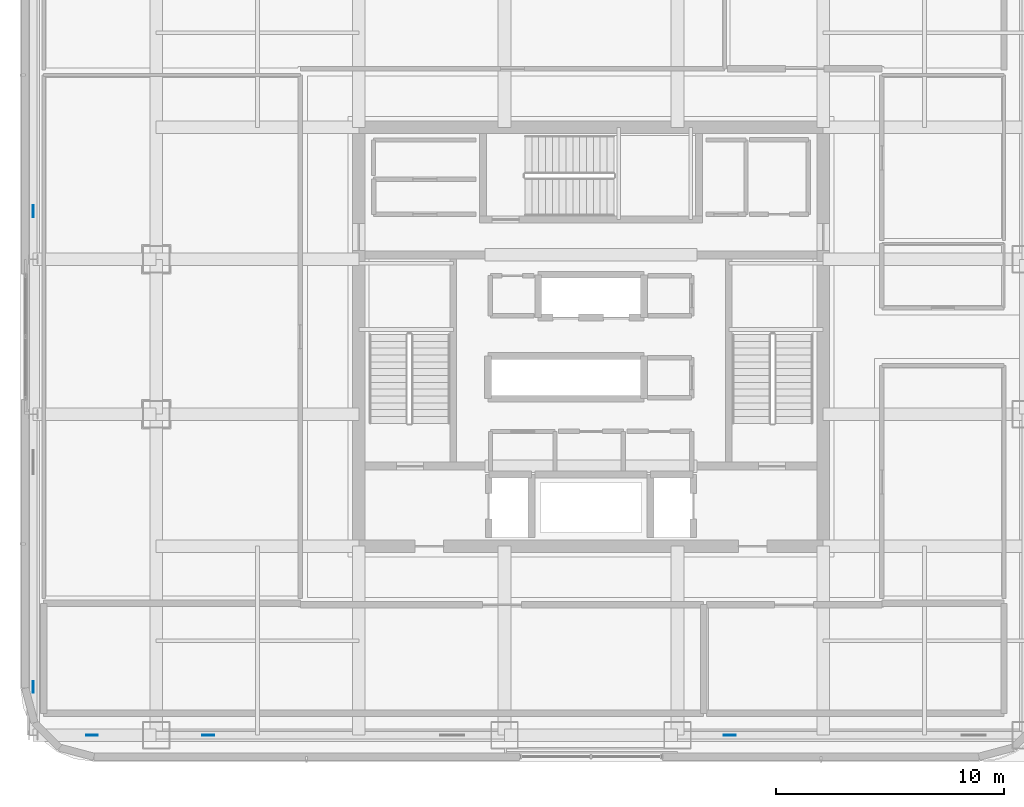
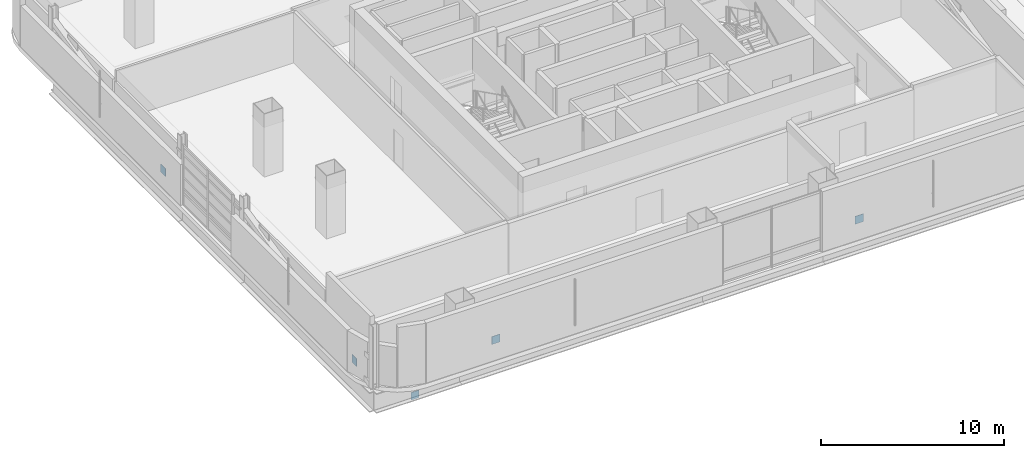
# One storey, part 9 of 31: 5 plates.
"""IFC4 building model written with IfcOpenShell, lengths in metres."""

from ifc_helpers import new_model, si_unit, direction, frame, origin, origin_2d, place, context, subcontext, project, spatial, rectangle, extrude, material, layer, layer_set, type_object, element, save


model = new_model("IFC4")

# Units and contexts
model_context = context("Model", 3, precision=1e-05, world=origin(), true_north=direction((0.0, 1.0)))
body_context = subcontext(model_context, "Body", "Model", "MODEL_VIEW")
ifc_project = project(units=[si_unit("LENGTHUNIT", "METRE"), si_unit("AREAUNIT", "SQUARE_METRE"), si_unit("VOLUMEUNIT", "CUBIC_METRE"), si_unit("PLANEANGLEUNIT", "RADIAN"), si_unit("MASSUNIT", "GRAM", prefix="KILO")], contexts=[model_context])

# Site, building, storey
site_placement = place(None, origin())
site = spatial("IfcSite", under=ifc_project, at=site_placement, CompositionType="ELEMENT")
building_placement = place(site_placement, origin())
building = spatial("IfcBuilding", under=site, at=building_placement, Name="Punatoya Terracotta Tower", CompositionType="ELEMENT")
storey_placement = place(building_placement, frame((0.0, 0.0, 283.800048828125)))
storey = spatial("IfcBuildingStorey", under=building, at=storey_placement, Name="L67", CompositionType="ELEMENT", Elevation=283.800048828125)

# Plates
ifc_material = material(Name="Steel S460", Category="steel")
ifc_layer = layer(ifc_material, 0.031982421875)
ifc_layer_set = layer_set([ifc_layer], Name="Steel S460")
plate_type = type_object("IfcPlateType", Name="PLT-END-32", PredefinedType="USERDEFINED", material=ifc_layer_set)
for number, where, z_axis, x_axis, name in (
    (1, (-16.804931640625, -17.5, 0.237060546875), (0.0, 0.0, 1.0), (1.0, 0.0, 0.0), "L67 Exoskeleton Base Node Plate S1"),
    (2, (6.094970703125, -17.5, 0.237060546875), (0.0, 0.0, 1.0), (1.0, 0.0, 0.0), "L67 Exoskeleton Base Node Plate S3"),
    (3, (-24.5, -15.385009765625, 0.237060546875), (0.0, 0.0, 1.0), (0.0, 1.0, 0.0), "L67 Exoskeleton Base Node Plate W1"),
    (4, (-24.5, 5.514892578125, 0.237060546875), (0.0, 0.0, 1.0), (0.0, 1.0, 0.0), "L67 Exoskeleton Base Node Plate W3"),
):
    element("IfcPlate", number, at=place(storey_placement, frame(where, z_axis=z_axis, x_axis=x_axis)), inside=storey, type_object=plate_type, Name=name, ObjectType="FLANGE_PLATE", PredefinedType="USERDEFINED", context=body_context, shape_type="SweptSolid", body=[
        extrude(rectangle(XDim=0.52001953125, YDim=0.031982421875, at=origin_2d()), origin(), (0.0, 0.0, 1.0), 0.52001953125),
    ])
plate_placement = place(storey_placement, frame((-21.916015625, -17.5, -1.68408203125), z_axis=(0.0, 0.0, 1.0), x_axis=(1.0, 0.0, 0.0)))
element("IfcPlate", 5, at=plate_placement, inside=storey, type_object=plate_type, Name="L67 Knee-Strut Upper End Cap Plate W1", ObjectType="FLANGE_PLATE", PredefinedType="USERDEFINED", context=body_context, shape_type="SweptSolid", body=[
    extrude(rectangle(XDim=0.5, YDim=0.031982421875, at=origin_2d()), origin(), (0.0, 0.0, 1.0), 0.5),
])

save(model, "model.ifc")
